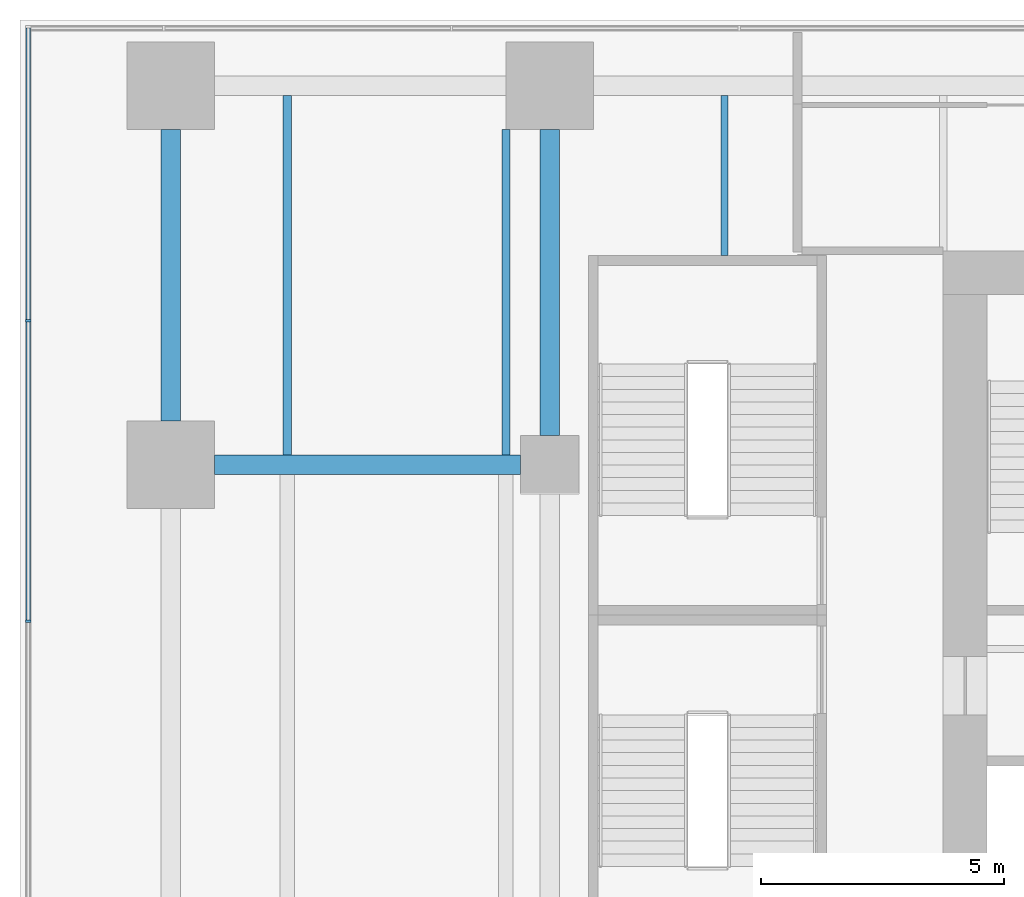
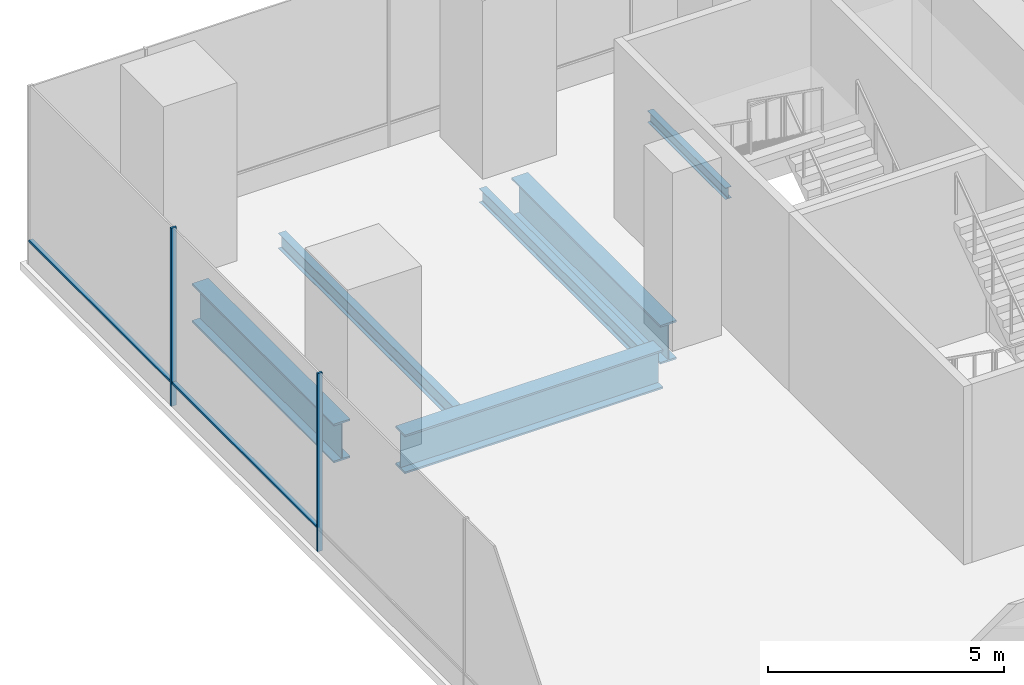
# One storey, part 9 of 28: 6 beams, 4 members, 1 element without a shape of its own.
"""IFC4 building model written with IfcOpenShell, lengths in metres."""

from ifc_helpers import new_model, si_unit, direction, frame, origin, origin_2d, place, context, subcontext, project, spatial, rectangle, i_section, extrude, material, layer, layer_set, material_profile, profile_set, type_object, element, aggregate, save


model = new_model("IFC4")

# Units and contexts
model_context = context("Model", 3, precision=1e-05, world=origin(), true_north=direction((0.0, 1.0)))
body_context = subcontext(model_context, "Body", "Model", "MODEL_VIEW")
ifc_project = project(units=[si_unit("LENGTHUNIT", "METRE"), si_unit("AREAUNIT", "SQUARE_METRE"), si_unit("VOLUMEUNIT", "CUBIC_METRE"), si_unit("PLANEANGLEUNIT", "RADIAN"), si_unit("MASSUNIT", "GRAM", prefix="KILO")], contexts=[model_context])

# Site, building, storey
site_placement = place(None, origin())
site = spatial("IfcSite", under=ifc_project, at=site_placement, CompositionType="ELEMENT")
building_placement = place(site_placement, origin())
building = spatial("IfcBuilding", under=site, at=building_placement, Name="Rattan Terrace Tower", CompositionType="ELEMENT")
storey_placement = place(building_placement, frame((0.0, 0.0, 17.39990234375)))
storey = spatial("IfcBuildingStorey", under=building, at=storey_placement, Name="L03", CompositionType="ELEMENT", Elevation=17.39990234375)

# Beams
ifc_material_1 = material(Name="Steel S355", Category="steel")
ifc_material_profile_1 = material_profile(ifc_material_1, i_section(OverallWidth=0.14990234375, OverallDepth=0.300048828125, WebThickness=0.007080078125, FlangeThickness=0.0107421875, FilletRadius=0.014892578125, at=origin_2d()), Name="IPE 300")
ifc_profile_set_1 = profile_set([ifc_material_profile_1], Name="Steel S355")
beam_type_1 = type_object("IfcBeamType", Name="Frame floor beam IPE 300", PredefinedType="JOIST", material=ifc_profile_set_1)
beam_1_placement = place(storey_placement, frame((-22.5, 7.39990234375, -0.349853515625), z_axis=(0.0, 1.0, 0.0), x_axis=(-1.0, 0.0, 0.0)))
element("IfcBeam", 1, at=beam_1_placement, inside=storey, type_object=beam_type_1, Name="bm-L03-043", PredefinedType="JOIST", context=body_context, shape_type="SweptSolid", body=[
    extrude(i_section(OverallWidth=0.14990234375, OverallDepth=0.300048828125, WebThickness=0.007080078125, FlangeThickness=0.0107421875, FilletRadius=0.014892578125, at=origin_2d()), origin(), (0.0, 0.0, 1.0), 3.300048828125),
])
ifc_material_2 = material(Name="Steel S355", Category="steel")
ifc_material_profile_2 = material_profile(ifc_material_2, i_section(OverallWidth=0.169921875, OverallDepth=0.360107421875, WebThickness=0.008056640625, FlangeThickness=0.0126953125, FilletRadius=0.01806640625, at=origin_2d()), Name="IPE 360")
ifc_profile_set_2 = profile_set([ifc_material_profile_2], Name="Steel S355")
beam_type_2 = type_object("IfcBeamType", Name="Frame floor beam IPE 360", PredefinedType="JOIST", material=ifc_profile_set_2)
beam_2_placement = place(storey_placement, frame((-27.0, 3.300048828125, -0.3798828125), z_axis=(0.0, 1.0, 0.0), x_axis=(-1.0, 0.0, 0.0)))
element("IfcBeam", 2, at=beam_2_placement, inside=storey, type_object=beam_type_2, Name="bm-L03-040", PredefinedType="JOIST", context=body_context, shape_type="SweptSolid", body=[
    extrude(i_section(OverallWidth=0.169921875, OverallDepth=0.360107421875, WebThickness=0.008056640625, FlangeThickness=0.0126953125, FilletRadius=0.01806640625, at=origin_2d()), origin(), (0.0, 0.0, 1.0), 6.699951171875),
])
ifc_material_3 = material(Name="Steel S355", Category="steel")
ifc_material_profile_3 = material_profile(ifc_material_3, i_section(OverallWidth=0.179931640625, OverallDepth=0.39990234375, WebThickness=0.008544921875, FlangeThickness=0.013427734375, FilletRadius=0.02099609375, at=origin_2d()), Name="IPE 400")
ifc_profile_set_3 = profile_set([ifc_material_profile_3], Name="Steel S355")
beam_type_3 = type_object("IfcBeamType", Name="Frame floor beam IPE 400", PredefinedType="JOIST", material=ifc_profile_set_3)
beam_3_placement = place(storey_placement, frame((-31.5, 3.300048828125, -0.39990234375), z_axis=(0.0, 1.0, 0.0), x_axis=(-1.0, 0.0, 0.0)))
element("IfcBeam", 3, at=beam_3_placement, inside=storey, type_object=beam_type_3, Name="bm-L03-039", PredefinedType="JOIST", context=body_context, shape_type="SweptSolid", body=[
    extrude(i_section(OverallWidth=0.179931640625, OverallDepth=0.39990234375, WebThickness=0.008544921875, FlangeThickness=0.013427734375, FilletRadius=0.02099609375, at=origin_2d()), origin(), (0.0, 0.0, 1.0), 7.39990234375),
])
ifc_material_4 = material(Name="Steel S460", Category="steel")
ifc_material_profile_4 = material_profile(ifc_material_4, i_section(OverallWidth=0.39990234375, OverallDepth=1.0, WebThickness=0.01806640625, FlangeThickness=0.044921875, at=origin_2d()), Name="PG 1000x400-18-45")
ifc_profile_set_4 = profile_set([ifc_material_profile_4], Name="Steel S460")
beam_type_4 = type_object("IfcBeamType", Name="Frame podium girder PG 1000x400-18-45", PredefinedType="USERDEFINED", material=ifc_profile_set_4)
for number, where, z_axis, x_axis, name in (
    (4, (-33.0, 3.10009765625, -0.699951171875), (1.0, 0.0, 0.0), (0.0, 1.0, 0.0), "gdr-L03-040"),
    (5, (-26.10009765625, 3.699951171875, -0.699951171875), (0.0, 1.0, 0.0), (-1.0, 0.0, 0.0), "gdr-L03-042"),
):
    element("IfcBeam", number, at=place(storey_placement, frame(where, z_axis=z_axis, x_axis=x_axis)), inside=storey, type_object=beam_type_4, Name=name, ObjectType="PODIUM GIRDER", PredefinedType="USERDEFINED", context=body_context, shape_type="SweptSolid", body=[
        extrude(i_section(OverallWidth=0.39990234375, OverallDepth=1.0, WebThickness=0.01806640625, FlangeThickness=0.044921875, at=origin_2d()), origin(), (0.0, 0.0, 1.0), 6.300048828125),
    ])
beam_4_placement = place(storey_placement, frame((-33.89990234375, 4.0, -0.699951171875), z_axis=(0.0, 1.0, 0.0), x_axis=(-1.0, 0.0, 0.0)))
element("IfcBeam", 6, at=beam_4_placement, inside=storey, type_object=beam_type_4, Name="gdr-L03-044", ObjectType="PODIUM GIRDER", PredefinedType="USERDEFINED", context=body_context, shape_type="SweptSolid", body=[
    extrude(i_section(OverallWidth=0.39990234375, OverallDepth=1.0, WebThickness=0.01806640625, FlangeThickness=0.044921875, at=origin_2d()), origin(), (0.0, 0.0, 1.0), 6.0),
])

# Curtain wall, members
ifc_material_5 = material(Name="Aluminium and glass", Category="aluminium")
ifc_layer = layer(ifc_material_5, 0.1201171875)
ifc_layer_set = layer_set([ifc_layer], Name="Station Storefront Curtain Wall")
curtain_wall_type = type_object("IfcCurtainWallType", Name="Station Storefront Curtain Wall", PredefinedType="NOTDEFINED", material=ifc_layer_set)
curtain_wall_placement = place(storey_placement, origin())
curtain_wall = element("IfcCurtainWall", 7, at=curtain_wall_placement, inside=storey, type_object=curtain_wall_type, Name="Storefront curtain wall L03-3", PredefinedType="NOTDEFINED")
ifc_material_6 = material(Name="Aluminium", Category="aluminium")
ifc_material_profile_5 = material_profile(ifc_material_6, rectangle(XDim=0.050048828125, YDim=0.1201171875, at=origin_2d()), Name="Aluminium 50x120")
ifc_profile_set_5 = profile_set([ifc_material_profile_5], Name="Aluminium")
member_type_1 = type_object("IfcMemberType", Name="Storefront CW Mullion 50x120", PredefinedType="MULLION", material=ifc_profile_set_5)
member_1_placement = place(storey_placement, frame((-36.830078125, 6.06201171875, 0.0), z_axis=(0.0, 0.0, 1.0), x_axis=(0.0, -1.0, 0.0)))
member_1 = element("IfcMember", 8, at=member_1_placement, type_object=member_type_1, Name="Mullion cwl-L03-003.2", PredefinedType="MULLION", context=body_context, shape_type="SweptSolid", body=[
    extrude(rectangle(XDim=0.050048828125, YDim=0.1201171875, at=origin_2d()), origin(), (0.0, 0.0, 1.0), 4.60009765625),
])
member_2_placement = place(storey_placement, frame((-36.830078125, -0.1259765625, 0.0), z_axis=(0.0, 0.0, 1.0), x_axis=(0.0, -1.0, 0.0)))
member_2 = element("IfcMember", 9, at=member_2_placement, type_object=member_type_1, Name="Mullion cwl-L03-003.3", PredefinedType="MULLION", context=body_context, shape_type="SweptSolid", body=[
    extrude(rectangle(XDim=0.050048828125, YDim=0.1201171875, at=origin_2d()), origin(), (0.0, 0.0, 1.0), 4.60009765625),
])
ifc_material_7 = material(Name="Aluminium", Category="aluminium")
ifc_material_profile_6 = material_profile(ifc_material_7, rectangle(XDim=0.10009765625, YDim=0.050048828125, at=origin_2d()), Name="Aluminium 100x50")
ifc_profile_set_6 = profile_set([ifc_material_profile_6], Name="Aluminium")
member_type_2 = type_object("IfcMemberType", Name="Storefront CW Transom 100x50", PredefinedType="USERDEFINED", material=ifc_profile_set_6)
member_3_placement = place(storey_placement, frame((-36.830078125, 12.090087890625, 0.60009765625), z_axis=(0.0, -1.0, 0.0), x_axis=(1.0, 0.0, 0.0)))
member_3 = element("IfcMember", 10, at=member_3_placement, type_object=member_type_2, Name="Transom cwl-L03-003.1", ObjectType="TRANSOM", PredefinedType="USERDEFINED", context=body_context, shape_type="SweptSolid", body=[
    extrude(rectangle(XDim=0.10009765625, YDim=0.050048828125, at=origin_2d()), origin(), (0.0, 0.0, 1.0), 6.003173828125),
])
member_4_placement = place(storey_placement, frame((-36.830078125, 6.037109375, 0.60009765625), z_axis=(0.0, -1.0, 0.0), x_axis=(1.0, 0.0, 0.0)))
member_4 = element("IfcMember", 11, at=member_4_placement, type_object=member_type_2, Name="Transom cwl-L03-003.2", ObjectType="TRANSOM", PredefinedType="USERDEFINED", context=body_context, shape_type="SweptSolid", body=[
    extrude(rectangle(XDim=0.10009765625, YDim=0.050048828125, at=origin_2d()), origin(), (0.0, 0.0, 1.0), 6.13818359375),
])
aggregate(curtain_wall, [member_1, member_2, member_3, member_4])

save(model, "model.ifc")
